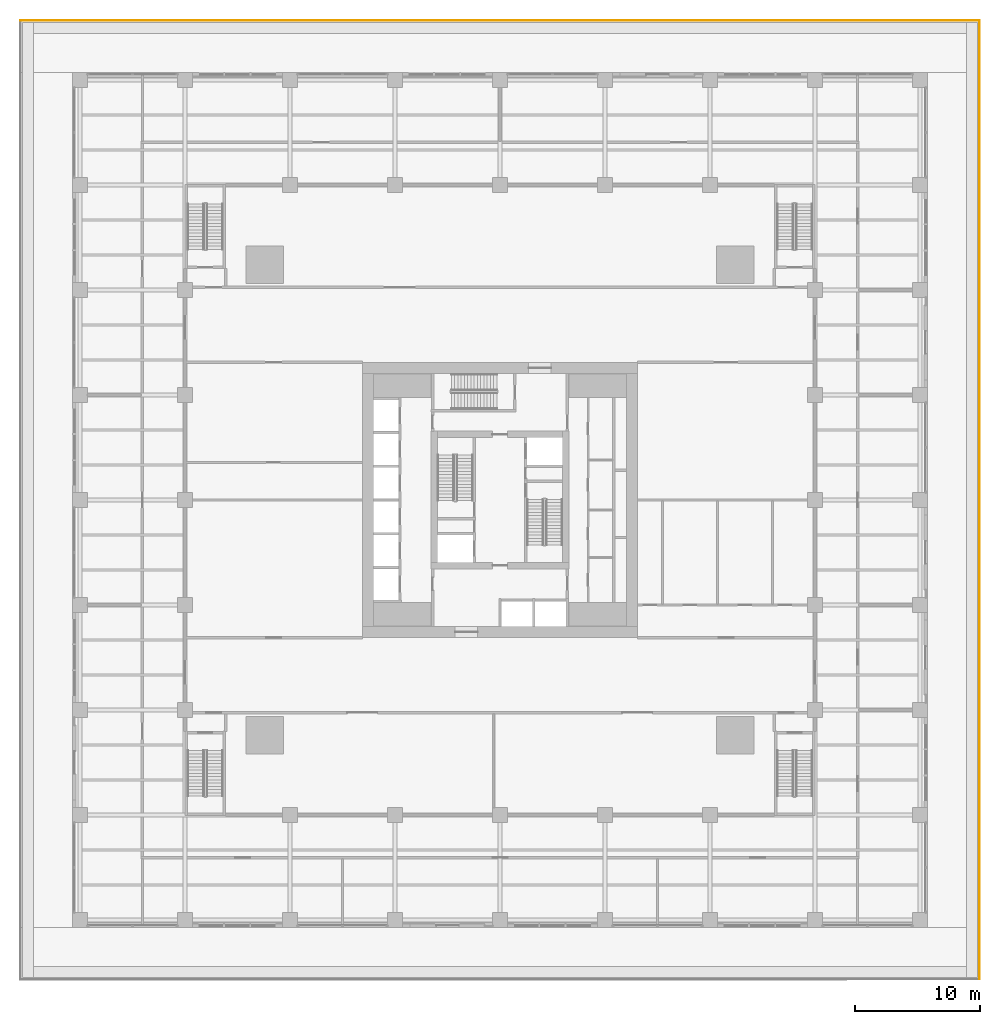
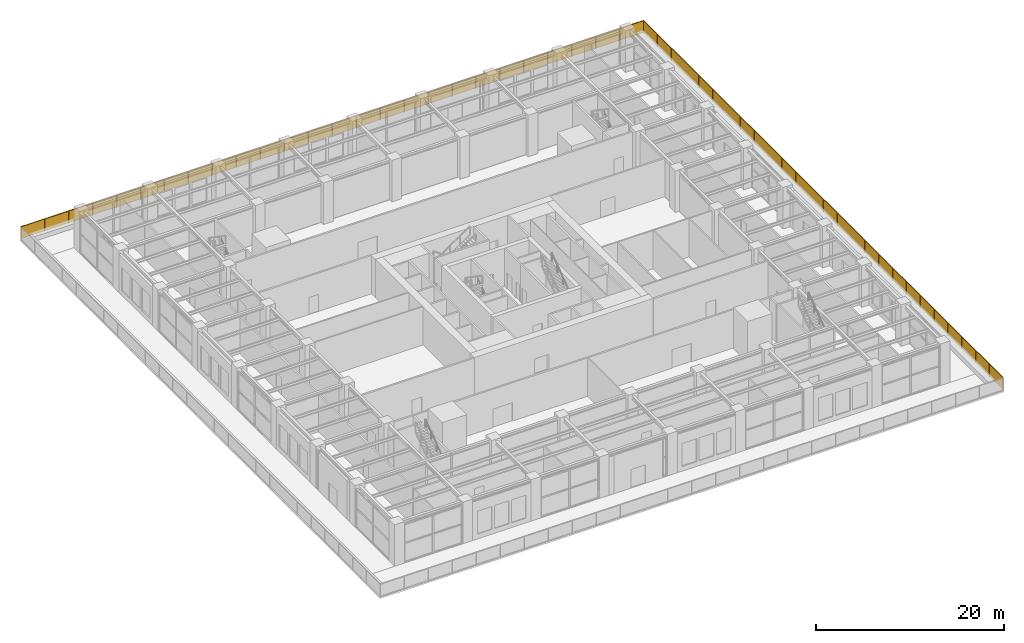
# One storey, part 36 of 36: 2 railings.
"""IFC4 building model written with IfcOpenShell, lengths in metres."""

from ifc_helpers import new_model, si_unit, direction, frame, origin, origin_2d, place, context, subcontext, project, spatial, rectangle, extrude, material, type_object, element, save


model = new_model("IFC4")

# Units and contexts
model_context = context("Model", 3, precision=1e-05, world=origin(), true_north=direction((0.0, 1.0)))
body_context = subcontext(model_context, "Body", "Model", "MODEL_VIEW")
ifc_project = project(units=[si_unit("LENGTHUNIT", "METRE"), si_unit("AREAUNIT", "SQUARE_METRE"), si_unit("VOLUMEUNIT", "CUBIC_METRE"), si_unit("PLANEANGLEUNIT", "RADIAN"), si_unit("MASSUNIT", "GRAM", prefix="KILO")], contexts=[model_context])

# Site, building, storey
site_placement = place(None, origin())
site = spatial("IfcSite", under=ifc_project, at=site_placement, CompositionType="ELEMENT")
building_placement = place(site_placement, origin())
building = spatial("IfcBuilding", under=site, at=building_placement, Name="Khepri Terraces", CompositionType="ELEMENT")
storey_placement = place(building_placement, frame((0.0, 0.0, 16.800048828125)))
storey = spatial("IfcBuildingStorey", under=building, at=storey_placement, Name="L03", CompositionType="ELEMENT", Elevation=16.800048828125)

# Railings
ifc_material = material(Name="Stainless steel grade 316", Category="steel")
railing_type = type_object("IfcRailingType", Name="GRD-TERR-1700", PredefinedType="GUARDRAIL", material=ifc_material)
railing_1_placement = place(storey_placement, frame((-38.35009765625, 38.35009765625, 0.0)))
element("IfcRailing", 1, at=railing_1_placement, inside=storey, type_object=railing_type, Name="Terrace guard L03", PredefinedType="GUARDRAIL", context=body_context, shape_type="SweptSolid", body=[
    extrude(rectangle(XDim=0.050048828125, YDim=0.06005859375, at=origin_2d()), frame((0.0, 0.0, 1.669921875), z_axis=(1.0, 0.0, 0.0), x_axis=(0.0, 1.0, 0.0)), (0.0, 0.0, 1.0), 76.7001953125),
    extrude(rectangle(XDim=2.89990234375, YDim=0.011962890625, at=origin_2d()), frame((1.47509765625, 0.0, 0.10009765625), z_axis=(0.0, 0.0, 1.0), x_axis=(1.0, 0.0, 0.0)), (0.0, 0.0, 1.0), 1.539794921875),
    extrude(rectangle(XDim=2.89990234375, YDim=0.011962890625, at=origin_2d()), frame((4.425048828125, 0.0, 0.10009765625), z_axis=(0.0, 0.0, 1.0), x_axis=(1.0, 0.0, 0.0)), (0.0, 0.0, 1.0), 1.539794921875),
    extrude(rectangle(XDim=2.89990234375, YDim=0.011962890625, at=origin_2d()), frame((7.375, 0.0, 0.10009765625), z_axis=(0.0, 0.0, 1.0), x_axis=(1.0, 0.0, 0.0)), (0.0, 0.0, 1.0), 1.539794921875),
    extrude(rectangle(XDim=2.89990234375, YDim=0.011962890625, at=origin_2d()), frame((10.324951171875, 0.0, 0.10009765625), z_axis=(0.0, 0.0, 1.0), x_axis=(1.0, 0.0, 0.0)), (0.0, 0.0, 1.0), 1.539794921875),
    extrude(rectangle(XDim=2.89990234375, YDim=0.011962890625, at=origin_2d()), frame((13.275146484375, 0.0, 0.10009765625), z_axis=(0.0, 0.0, 1.0), x_axis=(1.0, 0.0, 0.0)), (0.0, 0.0, 1.0), 1.539794921875),
    extrude(rectangle(XDim=2.89990234375, YDim=0.011962890625, at=origin_2d()), frame((16.22509765625, 0.0, 0.10009765625), z_axis=(0.0, 0.0, 1.0), x_axis=(1.0, 0.0, 0.0)), (0.0, 0.0, 1.0), 1.539794921875),
    extrude(rectangle(XDim=2.89990234375, YDim=0.011962890625, at=origin_2d()), frame((19.175048828125, 0.0, 0.10009765625), z_axis=(0.0, 0.0, 1.0), x_axis=(1.0, 0.0, 0.0)), (0.0, 0.0, 1.0), 1.539794921875),
    extrude(rectangle(XDim=2.89990234375, YDim=0.011962890625, at=origin_2d()), frame((22.125, 0.0, 0.10009765625), z_axis=(0.0, 0.0, 1.0), x_axis=(1.0, 0.0, 0.0)), (0.0, 0.0, 1.0), 1.539794921875),
    extrude(rectangle(XDim=2.89990234375, YDim=0.011962890625, at=origin_2d()), frame((25.074951171875, 0.0, 0.10009765625), z_axis=(0.0, 0.0, 1.0), x_axis=(1.0, 0.0, 0.0)), (0.0, 0.0, 1.0), 1.539794921875),
    extrude(rectangle(XDim=2.89990234375, YDim=0.011962890625, at=origin_2d()), frame((28.025146484375, 0.0, 0.10009765625), z_axis=(0.0, 0.0, 1.0), x_axis=(1.0, 0.0, 0.0)), (0.0, 0.0, 1.0), 1.539794921875),
    extrude(rectangle(XDim=2.89990234375, YDim=0.011962890625, at=origin_2d()), frame((30.97509765625, 0.0, 0.10009765625), z_axis=(0.0, 0.0, 1.0), x_axis=(1.0, 0.0, 0.0)), (0.0, 0.0, 1.0), 1.539794921875),
    extrude(rectangle(XDim=2.89990234375, YDim=0.011962890625, at=origin_2d()), frame((33.925048828125, 0.0, 0.10009765625), z_axis=(0.0, 0.0, 1.0), x_axis=(1.0, 0.0, 0.0)), (0.0, 0.0, 1.0), 1.539794921875),
    extrude(rectangle(XDim=2.89990234375, YDim=0.011962890625, at=origin_2d()), frame((36.875, 0.0, 0.10009765625), z_axis=(0.0, 0.0, 1.0), x_axis=(1.0, 0.0, 0.0)), (0.0, 0.0, 1.0), 1.539794921875),
    extrude(rectangle(XDim=2.89990234375, YDim=0.011962890625, at=origin_2d()), frame((39.8251953125, 0.0, 0.10009765625), z_axis=(0.0, 0.0, 1.0), x_axis=(1.0, 0.0, 0.0)), (0.0, 0.0, 1.0), 1.539794921875),
    extrude(rectangle(XDim=2.89990234375, YDim=0.011962890625, at=origin_2d()), frame((42.775146484375, 0.0, 0.10009765625), z_axis=(0.0, 0.0, 1.0), x_axis=(1.0, 0.0, 0.0)), (0.0, 0.0, 1.0), 1.539794921875),
    extrude(rectangle(XDim=2.89990234375, YDim=0.011962890625, at=origin_2d()), frame((45.72509765625, 0.0, 0.10009765625), z_axis=(0.0, 0.0, 1.0), x_axis=(1.0, 0.0, 0.0)), (0.0, 0.0, 1.0), 1.539794921875),
    extrude(rectangle(XDim=2.89990234375, YDim=0.011962890625, at=origin_2d()), frame((48.675048828125, 0.0, 0.10009765625), z_axis=(0.0, 0.0, 1.0), x_axis=(1.0, 0.0, 0.0)), (0.0, 0.0, 1.0), 1.539794921875),
    extrude(rectangle(XDim=2.89990234375, YDim=0.011962890625, at=origin_2d()), frame((51.625244140625, 0.0, 0.10009765625), z_axis=(0.0, 0.0, 1.0), x_axis=(1.0, 0.0, 0.0)), (0.0, 0.0, 1.0), 1.539794921875),
    extrude(rectangle(XDim=2.89990234375, YDim=0.011962890625, at=origin_2d()), frame((54.5751953125, 0.0, 0.10009765625), z_axis=(0.0, 0.0, 1.0), x_axis=(1.0, 0.0, 0.0)), (0.0, 0.0, 1.0), 1.539794921875),
    extrude(rectangle(XDim=2.89990234375, YDim=0.011962890625, at=origin_2d()), frame((57.525146484375, 0.0, 0.10009765625), z_axis=(0.0, 0.0, 1.0), x_axis=(1.0, 0.0, 0.0)), (0.0, 0.0, 1.0), 1.539794921875),
    extrude(rectangle(XDim=2.89990234375, YDim=0.011962890625, at=origin_2d()), frame((60.47509765625, 0.0, 0.10009765625), z_axis=(0.0, 0.0, 1.0), x_axis=(1.0, 0.0, 0.0)), (0.0, 0.0, 1.0), 1.539794921875),
    extrude(rectangle(XDim=2.89990234375, YDim=0.011962890625, at=origin_2d()), frame((63.425048828125, 0.0, 0.10009765625), z_axis=(0.0, 0.0, 1.0), x_axis=(1.0, 0.0, 0.0)), (0.0, 0.0, 1.0), 1.539794921875),
    extrude(rectangle(XDim=2.89990234375, YDim=0.011962890625, at=origin_2d()), frame((66.375244140625, 0.0, 0.10009765625), z_axis=(0.0, 0.0, 1.0), x_axis=(1.0, 0.0, 0.0)), (0.0, 0.0, 1.0), 1.539794921875),
    extrude(rectangle(XDim=2.89990234375, YDim=0.011962890625, at=origin_2d()), frame((69.3251953125, 0.0, 0.10009765625), z_axis=(0.0, 0.0, 1.0), x_axis=(1.0, 0.0, 0.0)), (0.0, 0.0, 1.0), 1.539794921875),
    extrude(rectangle(XDim=2.89990234375, YDim=0.011962890625, at=origin_2d()), frame((72.275146484375, 0.0, 0.10009765625), z_axis=(0.0, 0.0, 1.0), x_axis=(1.0, 0.0, 0.0)), (0.0, 0.0, 1.0), 1.539794921875),
    extrude(rectangle(XDim=2.89990234375, YDim=0.011962890625, at=origin_2d()), frame((75.22509765625, 0.0, 0.10009765625), z_axis=(0.0, 0.0, 1.0), x_axis=(1.0, 0.0, 0.0)), (0.0, 0.0, 1.0), 1.539794921875),
    extrude(rectangle(XDim=0.050048828125, YDim=0.050048828125, at=origin_2d()), origin(), (0.0, 0.0, 1.0), 1.639892578125),
    extrude(rectangle(XDim=0.050048828125, YDim=0.050048828125, at=origin_2d()), frame((2.949951171875, 0.0, 0.0)), (0.0, 0.0, 1.0), 1.639892578125),
    extrude(rectangle(XDim=0.050048828125, YDim=0.050048828125, at=origin_2d()), frame((5.89990234375, 0.0, 0.0)), (0.0, 0.0, 1.0), 1.639892578125),
    extrude(rectangle(XDim=0.050048828125, YDim=0.050048828125, at=origin_2d()), frame((8.85009765625, 0.0, 0.0)), (0.0, 0.0, 1.0), 1.639892578125),
    extrude(rectangle(XDim=0.050048828125, YDim=0.050048828125, at=origin_2d()), frame((11.800048828125, 0.0, 0.0)), (0.0, 0.0, 1.0), 1.639892578125),
    extrude(rectangle(XDim=0.050048828125, YDim=0.050048828125, at=origin_2d()), frame((14.75, 0.0, 0.0)), (0.0, 0.0, 1.0), 1.639892578125),
    extrude(rectangle(XDim=0.050048828125, YDim=0.050048828125, at=origin_2d()), frame((17.699951171875, 0.0, 0.0)), (0.0, 0.0, 1.0), 1.639892578125),
    extrude(rectangle(XDim=0.050048828125, YDim=0.050048828125, at=origin_2d()), frame((20.650146484375, 0.0, 0.0)), (0.0, 0.0, 1.0), 1.639892578125),
    extrude(rectangle(XDim=0.050048828125, YDim=0.050048828125, at=origin_2d()), frame((23.60009765625, 0.0, 0.0)), (0.0, 0.0, 1.0), 1.639892578125),
    extrude(rectangle(XDim=0.050048828125, YDim=0.050048828125, at=origin_2d()), frame((26.550048828125, 0.0, 0.0)), (0.0, 0.0, 1.0), 1.639892578125),
    extrude(rectangle(XDim=0.050048828125, YDim=0.050048828125, at=origin_2d()), frame((29.5, 0.0, 0.0)), (0.0, 0.0, 1.0), 1.639892578125),
    extrude(rectangle(XDim=0.050048828125, YDim=0.050048828125, at=origin_2d()), frame((32.4501953125, 0.0, 0.0)), (0.0, 0.0, 1.0), 1.639892578125),
    extrude(rectangle(XDim=0.050048828125, YDim=0.050048828125, at=origin_2d()), frame((35.400146484375, 0.0, 0.0)), (0.0, 0.0, 1.0), 1.639892578125),
    extrude(rectangle(XDim=0.050048828125, YDim=0.050048828125, at=origin_2d()), frame((38.35009765625, 0.0, 0.0)), (0.0, 0.0, 1.0), 1.639892578125),
    extrude(rectangle(XDim=0.050048828125, YDim=0.050048828125, at=origin_2d()), frame((41.300048828125, 0.0, 0.0)), (0.0, 0.0, 1.0), 1.639892578125),
    extrude(rectangle(XDim=0.050048828125, YDim=0.050048828125, at=origin_2d()), frame((44.25, 0.0, 0.0)), (0.0, 0.0, 1.0), 1.639892578125),
    extrude(rectangle(XDim=0.050048828125, YDim=0.050048828125, at=origin_2d()), frame((47.2001953125, 0.0, 0.0)), (0.0, 0.0, 1.0), 1.639892578125),
    extrude(rectangle(XDim=0.050048828125, YDim=0.050048828125, at=origin_2d()), frame((50.150146484375, 0.0, 0.0)), (0.0, 0.0, 1.0), 1.639892578125),
    extrude(rectangle(XDim=0.050048828125, YDim=0.050048828125, at=origin_2d()), frame((53.10009765625, 0.0, 0.0)), (0.0, 0.0, 1.0), 1.639892578125),
    extrude(rectangle(XDim=0.050048828125, YDim=0.050048828125, at=origin_2d()), frame((56.050048828125, 0.0, 0.0)), (0.0, 0.0, 1.0), 1.639892578125),
    extrude(rectangle(XDim=0.050048828125, YDim=0.050048828125, at=origin_2d()), frame((59.000244140625, 0.0, 0.0)), (0.0, 0.0, 1.0), 1.639892578125),
    extrude(rectangle(XDim=0.050048828125, YDim=0.050048828125, at=origin_2d()), frame((61.9501953125, 0.0, 0.0)), (0.0, 0.0, 1.0), 1.639892578125),
    extrude(rectangle(XDim=0.050048828125, YDim=0.050048828125, at=origin_2d()), frame((64.900146484375, 0.0, 0.0)), (0.0, 0.0, 1.0), 1.639892578125),
    extrude(rectangle(XDim=0.050048828125, YDim=0.050048828125, at=origin_2d()), frame((67.85009765625, 0.0, 0.0)), (0.0, 0.0, 1.0), 1.639892578125),
    extrude(rectangle(XDim=0.050048828125, YDim=0.050048828125, at=origin_2d()), frame((70.80029296875, 0.0, 0.0)), (0.0, 0.0, 1.0), 1.639892578125),
    extrude(rectangle(XDim=0.050048828125, YDim=0.050048828125, at=origin_2d()), frame((73.750244140625, 0.0, 0.0)), (0.0, 0.0, 1.0), 1.639892578125),
    extrude(rectangle(XDim=0.050048828125, YDim=0.050048828125, at=origin_2d()), frame((76.7001953125, 0.0, 0.0)), (0.0, 0.0, 1.0), 1.639892578125),
])
railing_2_placement = place(storey_placement, frame((38.35009765625, 38.35009765625, 0.0)))
element("IfcRailing", 2, at=railing_2_placement, inside=storey, type_object=railing_type, Name="Terrace guard L03", PredefinedType="GUARDRAIL", context=body_context, shape_type="SweptSolid", body=[
    extrude(rectangle(XDim=0.050048828125, YDim=0.06005859375, at=origin_2d()), frame((0.0, 0.0, 1.669921875), z_axis=(0.0, -1.0, 0.0), x_axis=(1.0, 0.0, 0.0)), (0.0, 0.0, 1.0), 76.7001953125),
    extrude(rectangle(XDim=2.89990234375, YDim=0.011962890625, at=origin_2d()), frame((0.0, -1.47509765625, 0.10009765625), z_axis=(0.0, 0.0, 1.0), x_axis=(0.0, -1.0, 0.0)), (0.0, 0.0, 1.0), 1.539794921875),
    extrude(rectangle(XDim=2.89990234375, YDim=0.011962890625, at=origin_2d()), frame((0.0, -4.425048828125, 0.10009765625), z_axis=(0.0, 0.0, 1.0), x_axis=(0.0, -1.0, 0.0)), (0.0, 0.0, 1.0), 1.539794921875),
    extrude(rectangle(XDim=2.89990234375, YDim=0.011962890625, at=origin_2d()), frame((0.0, -7.375, 0.10009765625), z_axis=(0.0, 0.0, 1.0), x_axis=(0.0, -1.0, 0.0)), (0.0, 0.0, 1.0), 1.539794921875),
    extrude(rectangle(XDim=2.89990234375, YDim=0.011962890625, at=origin_2d()), frame((0.0, -10.324951171875, 0.10009765625), z_axis=(0.0, 0.0, 1.0), x_axis=(0.0, -1.0, 0.0)), (0.0, 0.0, 1.0), 1.539794921875),
    extrude(rectangle(XDim=2.89990234375, YDim=0.011962890625, at=origin_2d()), frame((0.0, -13.275146484375, 0.10009765625), z_axis=(0.0, 0.0, 1.0), x_axis=(0.0, -1.0, 0.0)), (0.0, 0.0, 1.0), 1.539794921875),
    extrude(rectangle(XDim=2.89990234375, YDim=0.011962890625, at=origin_2d()), frame((0.0, -16.22509765625, 0.10009765625), z_axis=(0.0, 0.0, 1.0), x_axis=(0.0, -1.0, 0.0)), (0.0, 0.0, 1.0), 1.539794921875),
    extrude(rectangle(XDim=2.89990234375, YDim=0.011962890625, at=origin_2d()), frame((0.0, -19.175048828125, 0.10009765625), z_axis=(0.0, 0.0, 1.0), x_axis=(0.0, -1.0, 0.0)), (0.0, 0.0, 1.0), 1.539794921875),
    extrude(rectangle(XDim=2.89990234375, YDim=0.011962890625, at=origin_2d()), frame((0.0, -22.125, 0.10009765625), z_axis=(0.0, 0.0, 1.0), x_axis=(0.0, -1.0, 0.0)), (0.0, 0.0, 1.0), 1.539794921875),
    extrude(rectangle(XDim=2.89990234375, YDim=0.011962890625, at=origin_2d()), frame((0.0, -25.074951171875, 0.10009765625), z_axis=(0.0, 0.0, 1.0), x_axis=(0.0, -1.0, 0.0)), (0.0, 0.0, 1.0), 1.539794921875),
    extrude(rectangle(XDim=2.89990234375, YDim=0.011962890625, at=origin_2d()), frame((0.0, -28.025146484375, 0.10009765625), z_axis=(0.0, 0.0, 1.0), x_axis=(0.0, -1.0, 0.0)), (0.0, 0.0, 1.0), 1.539794921875),
    extrude(rectangle(XDim=2.89990234375, YDim=0.011962890625, at=origin_2d()), frame((0.0, -30.97509765625, 0.10009765625), z_axis=(0.0, 0.0, 1.0), x_axis=(0.0, -1.0, 0.0)), (0.0, 0.0, 1.0), 1.539794921875),
    extrude(rectangle(XDim=2.89990234375, YDim=0.011962890625, at=origin_2d()), frame((0.0, -33.925048828125, 0.10009765625), z_axis=(0.0, 0.0, 1.0), x_axis=(0.0, -1.0, 0.0)), (0.0, 0.0, 1.0), 1.539794921875),
    extrude(rectangle(XDim=2.89990234375, YDim=0.011962890625, at=origin_2d()), frame((0.0, -36.875, 0.10009765625), z_axis=(0.0, 0.0, 1.0), x_axis=(0.0, -1.0, 0.0)), (0.0, 0.0, 1.0), 1.539794921875),
    extrude(rectangle(XDim=2.89990234375, YDim=0.011962890625, at=origin_2d()), frame((0.0, -39.8251953125, 0.10009765625), z_axis=(0.0, 0.0, 1.0), x_axis=(0.0, -1.0, 0.0)), (0.0, 0.0, 1.0), 1.539794921875),
    extrude(rectangle(XDim=2.89990234375, YDim=0.011962890625, at=origin_2d()), frame((0.0, -42.775146484375, 0.10009765625), z_axis=(0.0, 0.0, 1.0), x_axis=(0.0, -1.0, 0.0)), (0.0, 0.0, 1.0), 1.539794921875),
    extrude(rectangle(XDim=2.89990234375, YDim=0.011962890625, at=origin_2d()), frame((0.0, -45.72509765625, 0.10009765625), z_axis=(0.0, 0.0, 1.0), x_axis=(0.0, -1.0, 0.0)), (0.0, 0.0, 1.0), 1.539794921875),
    extrude(rectangle(XDim=2.89990234375, YDim=0.011962890625, at=origin_2d()), frame((0.0, -48.675048828125, 0.10009765625), z_axis=(0.0, 0.0, 1.0), x_axis=(0.0, -1.0, 0.0)), (0.0, 0.0, 1.0), 1.539794921875),
    extrude(rectangle(XDim=2.89990234375, YDim=0.011962890625, at=origin_2d()), frame((0.0, -51.625244140625, 0.10009765625), z_axis=(0.0, 0.0, 1.0), x_axis=(0.0, -1.0, 0.0)), (0.0, 0.0, 1.0), 1.539794921875),
    extrude(rectangle(XDim=2.89990234375, YDim=0.011962890625, at=origin_2d()), frame((0.0, -54.5751953125, 0.10009765625), z_axis=(0.0, 0.0, 1.0), x_axis=(0.0, -1.0, 0.0)), (0.0, 0.0, 1.0), 1.539794921875),
    extrude(rectangle(XDim=2.89990234375, YDim=0.011962890625, at=origin_2d()), frame((0.0, -57.525146484375, 0.10009765625), z_axis=(0.0, 0.0, 1.0), x_axis=(0.0, -1.0, 0.0)), (0.0, 0.0, 1.0), 1.539794921875),
    extrude(rectangle(XDim=2.89990234375, YDim=0.011962890625, at=origin_2d()), frame((0.0, -60.47509765625, 0.10009765625), z_axis=(0.0, 0.0, 1.0), x_axis=(0.0, -1.0, 0.0)), (0.0, 0.0, 1.0), 1.539794921875),
    extrude(rectangle(XDim=2.89990234375, YDim=0.011962890625, at=origin_2d()), frame((0.0, -63.425048828125, 0.10009765625), z_axis=(0.0, 0.0, 1.0), x_axis=(0.0, -1.0, 0.0)), (0.0, 0.0, 1.0), 1.539794921875),
    extrude(rectangle(XDim=2.89990234375, YDim=0.011962890625, at=origin_2d()), frame((0.0, -66.375244140625, 0.10009765625), z_axis=(0.0, 0.0, 1.0), x_axis=(0.0, -1.0, 0.0)), (0.0, 0.0, 1.0), 1.539794921875),
    extrude(rectangle(XDim=2.89990234375, YDim=0.011962890625, at=origin_2d()), frame((0.0, -69.3251953125, 0.10009765625), z_axis=(0.0, 0.0, 1.0), x_axis=(0.0, -1.0, 0.0)), (0.0, 0.0, 1.0), 1.539794921875),
    extrude(rectangle(XDim=2.89990234375, YDim=0.011962890625, at=origin_2d()), frame((0.0, -72.275146484375, 0.10009765625), z_axis=(0.0, 0.0, 1.0), x_axis=(0.0, -1.0, 0.0)), (0.0, 0.0, 1.0), 1.539794921875),
    extrude(rectangle(XDim=2.89990234375, YDim=0.011962890625, at=origin_2d()), frame((0.0, -75.22509765625, 0.10009765625), z_axis=(0.0, 0.0, 1.0), x_axis=(0.0, -1.0, 0.0)), (0.0, 0.0, 1.0), 1.539794921875),
    extrude(rectangle(XDim=0.050048828125, YDim=0.050048828125, at=origin_2d()), frame((0.0, -2.949951171875, 0.0)), (0.0, 0.0, 1.0), 1.639892578125),
    extrude(rectangle(XDim=0.050048828125, YDim=0.050048828125, at=origin_2d()), frame((0.0, -5.89990234375, 0.0)), (0.0, 0.0, 1.0), 1.639892578125),
    extrude(rectangle(XDim=0.050048828125, YDim=0.050048828125, at=origin_2d()), frame((0.0, -8.85009765625, 0.0)), (0.0, 0.0, 1.0), 1.639892578125),
    extrude(rectangle(XDim=0.050048828125, YDim=0.050048828125, at=origin_2d()), frame((0.0, -11.800048828125, 0.0)), (0.0, 0.0, 1.0), 1.639892578125),
    extrude(rectangle(XDim=0.050048828125, YDim=0.050048828125, at=origin_2d()), frame((0.0, -14.75, 0.0)), (0.0, 0.0, 1.0), 1.639892578125),
    extrude(rectangle(XDim=0.050048828125, YDim=0.050048828125, at=origin_2d()), frame((0.0, -17.699951171875, 0.0)), (0.0, 0.0, 1.0), 1.639892578125),
    extrude(rectangle(XDim=0.050048828125, YDim=0.050048828125, at=origin_2d()), frame((0.0, -20.650146484375, 0.0)), (0.0, 0.0, 1.0), 1.639892578125),
    extrude(rectangle(XDim=0.050048828125, YDim=0.050048828125, at=origin_2d()), frame((0.0, -23.60009765625, 0.0)), (0.0, 0.0, 1.0), 1.639892578125),
    extrude(rectangle(XDim=0.050048828125, YDim=0.050048828125, at=origin_2d()), frame((0.0, -26.550048828125, 0.0)), (0.0, 0.0, 1.0), 1.639892578125),
    extrude(rectangle(XDim=0.050048828125, YDim=0.050048828125, at=origin_2d()), frame((0.0, -29.5, 0.0)), (0.0, 0.0, 1.0), 1.639892578125),
    extrude(rectangle(XDim=0.050048828125, YDim=0.050048828125, at=origin_2d()), frame((0.0, -32.4501953125, 0.0)), (0.0, 0.0, 1.0), 1.639892578125),
    extrude(rectangle(XDim=0.050048828125, YDim=0.050048828125, at=origin_2d()), frame((0.0, -35.400146484375, 0.0)), (0.0, 0.0, 1.0), 1.639892578125),
    extrude(rectangle(XDim=0.050048828125, YDim=0.050048828125, at=origin_2d()), frame((0.0, -38.35009765625, 0.0)), (0.0, 0.0, 1.0), 1.639892578125),
    extrude(rectangle(XDim=0.050048828125, YDim=0.050048828125, at=origin_2d()), frame((0.0, -41.300048828125, 0.0)), (0.0, 0.0, 1.0), 1.639892578125),
    extrude(rectangle(XDim=0.050048828125, YDim=0.050048828125, at=origin_2d()), frame((0.0, -44.25, 0.0)), (0.0, 0.0, 1.0), 1.639892578125),
    extrude(rectangle(XDim=0.050048828125, YDim=0.050048828125, at=origin_2d()), frame((0.0, -47.2001953125, 0.0)), (0.0, 0.0, 1.0), 1.639892578125),
    extrude(rectangle(XDim=0.050048828125, YDim=0.050048828125, at=origin_2d()), frame((0.0, -50.150146484375, 0.0)), (0.0, 0.0, 1.0), 1.639892578125),
    extrude(rectangle(XDim=0.050048828125, YDim=0.050048828125, at=origin_2d()), frame((0.0, -53.10009765625, 0.0)), (0.0, 0.0, 1.0), 1.639892578125),
    extrude(rectangle(XDim=0.050048828125, YDim=0.050048828125, at=origin_2d()), frame((0.0, -56.050048828125, 0.0)), (0.0, 0.0, 1.0), 1.639892578125),
    extrude(rectangle(XDim=0.050048828125, YDim=0.050048828125, at=origin_2d()), frame((0.0, -59.000244140625, 0.0)), (0.0, 0.0, 1.0), 1.639892578125),
    extrude(rectangle(XDim=0.050048828125, YDim=0.050048828125, at=origin_2d()), frame((0.0, -61.9501953125, 0.0)), (0.0, 0.0, 1.0), 1.639892578125),
    extrude(rectangle(XDim=0.050048828125, YDim=0.050048828125, at=origin_2d()), frame((0.0, -64.900146484375, 0.0)), (0.0, 0.0, 1.0), 1.639892578125),
    extrude(rectangle(XDim=0.050048828125, YDim=0.050048828125, at=origin_2d()), frame((0.0, -67.85009765625, 0.0)), (0.0, 0.0, 1.0), 1.639892578125),
    extrude(rectangle(XDim=0.050048828125, YDim=0.050048828125, at=origin_2d()), frame((0.0, -70.80029296875, 0.0)), (0.0, 0.0, 1.0), 1.639892578125),
    extrude(rectangle(XDim=0.050048828125, YDim=0.050048828125, at=origin_2d()), frame((0.0, -73.750244140625, 0.0)), (0.0, 0.0, 1.0), 1.639892578125),
    extrude(rectangle(XDim=0.050048828125, YDim=0.050048828125, at=origin_2d()), frame((0.0, -76.7001953125, 0.0)), (0.0, 0.0, 1.0), 1.639892578125),
])

save(model, "model.ifc")
